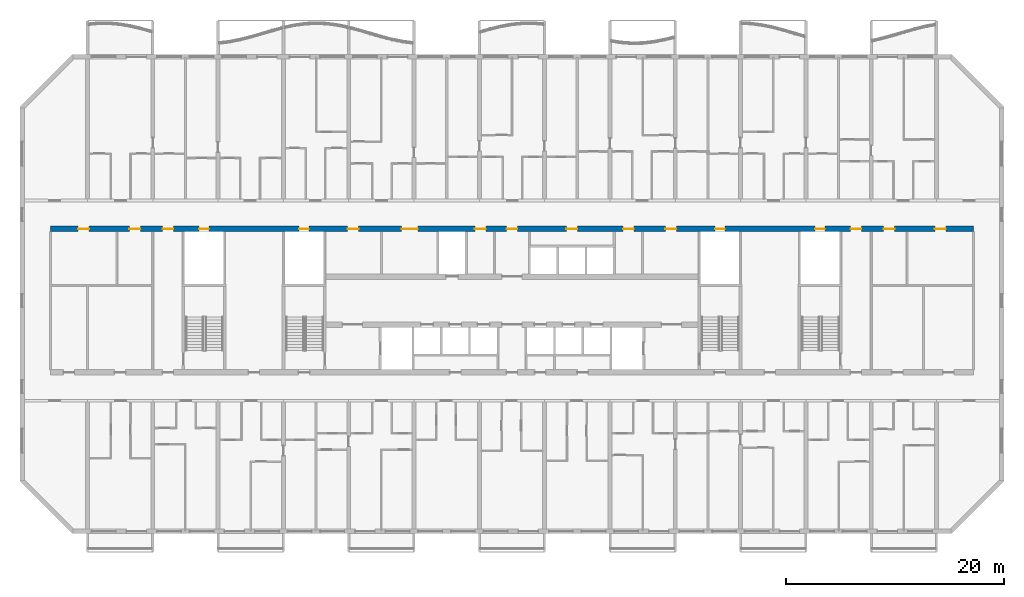
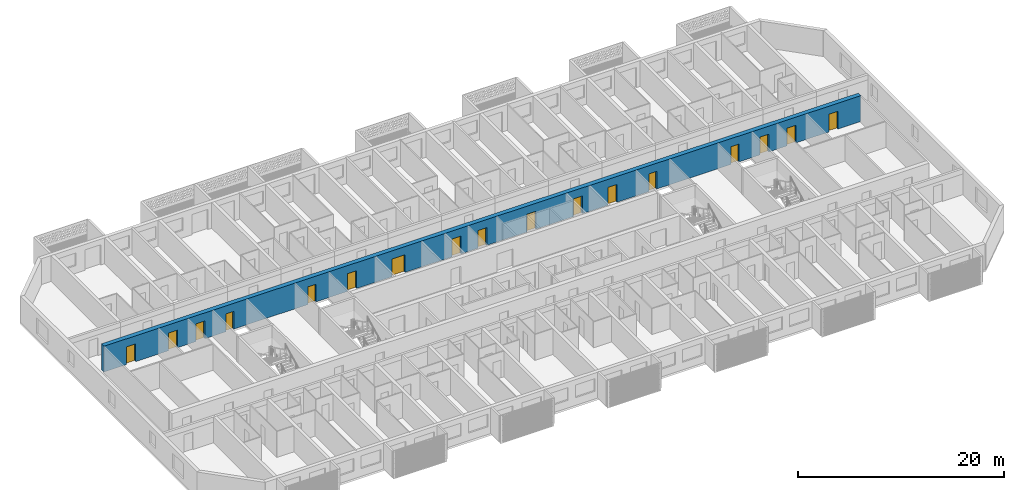
# One storey, part 8 of 29: 17 doors, 1 wall, 17 openings.
"""IFC4 building model written with IfcOpenShell, lengths in metres."""

from ifc_helpers import new_model, si_unit, direction, frame, frame_2d, origin, place, context, subcontext, project, spatial, rectangle, extrude, material, layer, layer_set, type_object, element, fill, save


model = new_model("IFC4")

# Units and contexts
model_context = context("Model", 3, precision=1e-05, world=origin(), true_north=direction((0.0, 1.0)))
body_context = subcontext(model_context, "Body", "Model", "MODEL_VIEW")
ifc_project = project(units=[si_unit("LENGTHUNIT", "METRE"), si_unit("AREAUNIT", "SQUARE_METRE"), si_unit("VOLUMEUNIT", "CUBIC_METRE"), si_unit("PLANEANGLEUNIT", "RADIAN"), si_unit("MASSUNIT", "GRAM", prefix="KILO")], contexts=[model_context])

# Site, building, storey
site_placement = place(None, origin())
site = spatial("IfcSite", under=ifc_project, at=site_placement, CompositionType="ELEMENT")
building_placement = place(site_placement, origin())
building = spatial("IfcBuilding", under=site, at=building_placement, Name="Poui Terraces", CompositionType="ELEMENT")
storey_placement = place(building_placement, frame((0.0, 0.0, 86.10009765625)))
storey = spatial("IfcBuildingStorey", under=building, at=storey_placement, Name="L23", CompositionType="ELEMENT", Elevation=86.10009765625)

# Wall, openings, doors
ifc_material_1 = material(Name="Concrete 65 MPa", Category="concrete")
ifc_layer = layer(ifc_material_1, 0.5)
ifc_layer_set = layer_set([ifc_layer], Name="Concrete 65 MPa")
wall_type = type_object("IfcWallType", Name="SPINE WALL 500 65 MPA", PredefinedType="SOLIDWALL", material=ifc_layer_set)
wall_placement = place(storey_placement, frame((8.60009765625, 27.800048828125, 0.0), z_axis=(0.0, 0.0, 1.0), x_axis=(1.0, 0.0, 0.0)))
wall = element("IfcWall", 1, at=wall_placement, inside=storey, type_object=wall_type, Name="SPINE WALL", PredefinedType="SOLIDWALL", context=body_context, shape_type="SweptSolid", body=[
    extrude(rectangle(XDim=84.7998046875, YDim=0.5, at=frame_2d((42.39990234375, 0.0))), origin(), (0.0, 0.0, 1.0), 3.059814453125),
])
opening_1_placement = place(wall_placement, frame((2.550048828125, 0.0, 0.0)))
opening_1 = element("IfcOpeningElement", 2, at=opening_1_placement, cuts=wall, Name="Opening FD60", PredefinedType="OPENING", context=body_context, shape_type="SweptSolid", body=[
    extrude(rectangle(XDim=1.0, YDim=2.10009765625, at=frame_2d((0.5, 1.050048828125))), frame((0.0, 0.260009765625, 0.0), z_axis=(0.0, -1.0, 0.0), x_axis=(1.0, 0.0, 0.0)), (0.0, 0.0, 1.0), 0.52001953125),
])
opening_2_placement = place(wall_placement, frame((7.25, 0.0, 0.0)))
opening_2 = element("IfcOpeningElement", 3, at=opening_2_placement, cuts=wall, Name="Opening FD60", PredefinedType="OPENING", context=body_context, shape_type="SweptSolid", body=[
    extrude(rectangle(XDim=1.0, YDim=2.10009765625, at=frame_2d((0.5, 1.050048828125))), frame((0.0, 0.260009765625, 0.0), z_axis=(0.0, -1.0, 0.0), x_axis=(1.0, 0.0, 0.0)), (0.0, 0.0, 1.0), 0.52001953125),
])
opening_3_placement = place(wall_placement, frame((10.300048828125, 0.0, 0.0)))
opening_3 = element("IfcOpeningElement", 4, at=opening_3_placement, cuts=wall, Name="Opening FDL", PredefinedType="OPENING", context=body_context, shape_type="SweptSolid", body=[
    extrude(rectangle(XDim=1.0, YDim=2.10009765625, at=frame_2d((0.5, 1.050048828125))), frame((0.0, 0.260009765625, 0.0), z_axis=(0.0, -1.0, 0.0), x_axis=(1.0, 0.0, 0.0)), (0.0, 0.0, 1.0), 0.52001953125),
])
opening_4_placement = place(wall_placement, frame((13.64990234375, 0.0, 0.0)))
opening_4 = element("IfcOpeningElement", 5, at=opening_4_placement, cuts=wall, Name="Opening FDR", PredefinedType="OPENING", context=body_context, shape_type="SweptSolid", body=[
    extrude(rectangle(XDim=0.89990234375, YDim=2.10009765625, at=frame_2d((0.449951171875, 1.050048828125))), frame((0.0, 0.260009765625, 0.0), z_axis=(0.0, -1.0, 0.0), x_axis=(1.0, 0.0, 0.0)), (0.0, 0.0, 1.0), 0.52001953125),
])
opening_5_placement = place(wall_placement, frame((22.85009765625, 0.0, 0.0)))
opening_5 = element("IfcOpeningElement", 6, at=opening_5_placement, cuts=wall, Name="Opening FDR", PredefinedType="OPENING", context=body_context, shape_type="SweptSolid", body=[
    extrude(rectangle(XDim=0.89990234375, YDim=2.10009765625, at=frame_2d((0.449951171875, 1.050048828125))), frame((0.0, 0.260009765625, 0.0), z_axis=(0.0, -1.0, 0.0), x_axis=(1.0, 0.0, 0.0)), (0.0, 0.0, 1.0), 0.52001953125),
])
opening_6_placement = place(wall_placement, frame((27.300048828125, 0.0, 0.0)))
opening_6 = element("IfcOpeningElement", 7, at=opening_6_placement, cuts=wall, Name="Opening FD60", PredefinedType="OPENING", context=body_context, shape_type="SweptSolid", body=[
    extrude(rectangle(XDim=1.0, YDim=2.10009765625, at=frame_2d((0.5, 1.050048828125))), frame((0.0, 0.260009765625, 0.0), z_axis=(0.0, -1.0, 0.0), x_axis=(1.0, 0.0, 0.0)), (0.0, 0.0, 1.0), 0.52001953125),
])
opening_7_placement = place(wall_placement, frame((32.25, 0.0, 0.0)))
opening_7 = element("IfcOpeningElement", 8, at=opening_7_placement, cuts=wall, Name="Opening FDP", PredefinedType="OPENING", context=body_context, shape_type="SweptSolid", body=[
    extrude(rectangle(XDim=1.5, YDim=2.10009765625, at=frame_2d((0.75, 1.050048828125))), frame((0.0, 0.260009765625, 0.0), z_axis=(0.0, -1.0, 0.0), x_axis=(1.0, 0.0, 0.0)), (0.0, 0.0, 1.0), 0.52001953125),
])
opening_8_placement = place(wall_placement, frame((39.0, 0.0, 0.0)))
opening_8 = element("IfcOpeningElement", 9, at=opening_8_placement, cuts=wall, Name="Opening FD60", PredefinedType="OPENING", context=body_context, shape_type="SweptSolid", body=[
    extrude(rectangle(XDim=1.0, YDim=2.10009765625, at=frame_2d((0.5, 1.050048828125))), frame((0.0, 0.260009765625, 0.0), z_axis=(0.0, -1.0, 0.0), x_axis=(1.0, 0.0, 0.0)), (0.0, 0.0, 1.0), 0.52001953125),
])
opening_9_placement = place(wall_placement, frame((41.89990234375, 0.0, 0.0)))
opening_9 = element("IfcOpeningElement", 10, at=opening_9_placement, cuts=wall, Name="Opening FDL", PredefinedType="OPENING", context=body_context, shape_type="SweptSolid", body=[
    extrude(rectangle(XDim=1.0, YDim=2.10009765625, at=frame_2d((0.5, 1.050048828125))), frame((0.0, 0.260009765625, 0.0), z_axis=(0.0, -1.0, 0.0), x_axis=(1.0, 0.0, 0.0)), (0.0, 0.0, 1.0), 0.52001953125),
])
opening_10_placement = place(wall_placement, frame((47.39990234375, 0.0, 0.0)))
opening_10 = element("IfcOpeningElement", 11, at=opening_10_placement, cuts=wall, Name="Opening FD60", PredefinedType="OPENING", context=body_context, shape_type="SweptSolid", body=[
    extrude(rectangle(XDim=1.0, YDim=2.10009765625, at=frame_2d((0.5, 1.050048828125))), frame((0.0, 0.260009765625, 0.0), z_axis=(0.0, -1.0, 0.0), x_axis=(1.0, 0.0, 0.0)), (0.0, 0.0, 1.0), 0.52001953125),
])
opening_11_placement = place(wall_placement, frame((52.60009765625, 0.0, 0.0)))
opening_11 = element("IfcOpeningElement", 12, at=opening_11_placement, cuts=wall, Name="Opening FD60", PredefinedType="OPENING", context=body_context, shape_type="SweptSolid", body=[
    extrude(rectangle(XDim=1.0, YDim=2.10009765625, at=frame_2d((0.5, 1.050048828125))), frame((0.0, 0.260009765625, 0.0), z_axis=(0.0, -1.0, 0.0), x_axis=(1.0, 0.0, 0.0)), (0.0, 0.0, 1.0), 0.52001953125),
])
opening_12_placement = place(wall_placement, frame((56.5, 0.0, 0.0)))
opening_12 = element("IfcOpeningElement", 13, at=opening_12_placement, cuts=wall, Name="Opening FD60", PredefinedType="OPENING", context=body_context, shape_type="SweptSolid", body=[
    extrude(rectangle(XDim=1.0, YDim=2.10009765625, at=frame_2d((0.5, 1.050048828125))), frame((0.0, 0.260009765625, 0.0), z_axis=(0.0, -1.0, 0.0), x_axis=(1.0, 0.0, 0.0)), (0.0, 0.0, 1.0), 0.52001953125),
])
opening_13_placement = place(wall_placement, frame((61.050048828125, 0.0, 0.0)))
opening_13 = element("IfcOpeningElement", 14, at=opening_13_placement, cuts=wall, Name="Opening FDR", PredefinedType="OPENING", context=body_context, shape_type="SweptSolid", body=[
    extrude(rectangle(XDim=0.89990234375, YDim=2.10009765625, at=frame_2d((0.449951171875, 1.050048828125))), frame((0.0, 0.260009765625, 0.0), z_axis=(0.0, -1.0, 0.0), x_axis=(1.0, 0.0, 0.0)), (0.0, 0.0, 1.0), 0.52001953125),
])
opening_14_placement = place(wall_placement, frame((70.25, 0.0, 0.0)))
opening_14 = element("IfcOpeningElement", 15, at=opening_14_placement, cuts=wall, Name="Opening FDR", PredefinedType="OPENING", context=body_context, shape_type="SweptSolid", body=[
    extrude(rectangle(XDim=0.89990234375, YDim=2.10009765625, at=frame_2d((0.449951171875, 1.050048828125))), frame((0.0, 0.260009765625, 0.0), z_axis=(0.0, -1.0, 0.0), x_axis=(1.0, 0.0, 0.0)), (0.0, 0.0, 1.0), 0.52001953125),
])
opening_15_placement = place(wall_placement, frame((73.5, 0.0, 0.0)))
opening_15 = element("IfcOpeningElement", 16, at=opening_15_placement, cuts=wall, Name="Opening FDL", PredefinedType="OPENING", context=body_context, shape_type="SweptSolid", body=[
    extrude(rectangle(XDim=1.0, YDim=2.10009765625, at=frame_2d((0.5, 1.050048828125))), frame((0.0, 0.260009765625, 0.0), z_axis=(0.0, -1.0, 0.0), x_axis=(1.0, 0.0, 0.0)), (0.0, 0.0, 1.0), 0.52001953125),
])
opening_16_placement = place(wall_placement, frame((76.550048828125, 0.0, 0.0)))
opening_16 = element("IfcOpeningElement", 17, at=opening_16_placement, cuts=wall, Name="Opening FD60", PredefinedType="OPENING", context=body_context, shape_type="SweptSolid", body=[
    extrude(rectangle(XDim=1.0, YDim=2.10009765625, at=frame_2d((0.5, 1.050048828125))), frame((0.0, 0.260009765625, 0.0), z_axis=(0.0, -1.0, 0.0), x_axis=(1.0, 0.0, 0.0)), (0.0, 0.0, 1.0), 0.52001953125),
])
opening_17_placement = place(wall_placement, frame((81.25, 0.0, 0.0)))
opening_17 = element("IfcOpeningElement", 18, at=opening_17_placement, cuts=wall, Name="Opening FD60", PredefinedType="OPENING", context=body_context, shape_type="SweptSolid", body=[
    extrude(rectangle(XDim=1.0, YDim=2.10009765625, at=frame_2d((0.5, 1.050048828125))), frame((0.0, 0.260009765625, 0.0), z_axis=(0.0, -1.0, 0.0), x_axis=(1.0, 0.0, 0.0)), (0.0, 0.0, 1.0), 0.52001953125),
])
ifc_material_2 = material(Name="Steel fire door", Category="steel")
door_type_1 = type_object("IfcDoorType", Name="LOBBY FIRE DOOR 1000 X 2100", OperationType="NOTDEFINED", PredefinedType="DOOR", material=ifc_material_2)
door_1_placement = place(opening_3_placement, origin())
door_1 = element("IfcDoor", 19, at=door_1_placement, inside=storey, type_object=door_type_1, Name="LOBBY FIRE DOOR 003", OperationType="SINGLE_SWING_LEFT", OverallHeight=2.10009765625, OverallWidth=1.0, PredefinedType="DOOR", context=body_context, shape_type="SweptSolid", body=[
    extrude(rectangle(XDim=1.0, YDim=2.10009765625, at=frame_2d((0.5, 1.050048828125))), frame((0.0, 0.02490234375, 0.0), z_axis=(0.0, -1.0, 0.0), x_axis=(1.0, 0.0, 0.0)), (0.0, 0.0, 1.0), 0.050048828125),
])
fill(opening_3, door_1)
door_2_placement = place(opening_9_placement, origin())
door_2 = element("IfcDoor", 20, at=door_2_placement, inside=storey, type_object=door_type_1, Name="LOBBY FIRE DOOR 009", OperationType="SINGLE_SWING_RIGHT", OverallHeight=2.10009765625, OverallWidth=1.0, PredefinedType="DOOR", context=body_context, shape_type="SweptSolid", body=[
    extrude(rectangle(XDim=1.0, YDim=2.10009765625, at=frame_2d((0.5, 1.050048828125))), frame((0.0, 0.02490234375, 0.0), z_axis=(0.0, -1.0, 0.0), x_axis=(1.0, 0.0, 0.0)), (0.0, 0.0, 1.0), 0.050048828125),
])
fill(opening_9, door_2)
door_3_placement = place(opening_15_placement, origin())
door_3 = element("IfcDoor", 21, at=door_3_placement, inside=storey, type_object=door_type_1, Name="LOBBY FIRE DOOR 015", OperationType="SINGLE_SWING_RIGHT", OverallHeight=2.10009765625, OverallWidth=1.0, PredefinedType="DOOR", context=body_context, shape_type="SweptSolid", body=[
    extrude(rectangle(XDim=1.0, YDim=2.10009765625, at=frame_2d((0.5, 1.050048828125))), frame((0.0, 0.02490234375, 0.0), z_axis=(0.0, -1.0, 0.0), x_axis=(1.0, 0.0, 0.0)), (0.0, 0.0, 1.0), 0.050048828125),
])
fill(opening_15, door_3)
door_type_2 = type_object("IfcDoorType", Name="PLANT ROOM DOOR PAIR 1500 X 2100", OperationType="DOUBLE_DOOR_SINGLE_SWING", PredefinedType="DOOR", material=ifc_material_2)
door_4_placement = place(opening_7_placement, origin())
door_4 = element("IfcDoor", 22, at=door_4_placement, inside=storey, type_object=door_type_2, Name="PLANT ROOM DOOR PAIR 007", OperationType="DOUBLE_DOOR_SINGLE_SWING", OverallHeight=2.10009765625, OverallWidth=1.5, PredefinedType="DOOR", context=body_context, shape_type="SweptSolid", body=[
    extrude(rectangle(XDim=1.5, YDim=2.10009765625, at=frame_2d((0.75, 1.050048828125))), frame((0.0, 0.02490234375, 0.0), z_axis=(0.0, -1.0, 0.0), x_axis=(1.0, 0.0, 0.0)), (0.0, 0.0, 1.0), 0.050048828125),
])
fill(opening_7, door_4)
door_type_3 = type_object("IfcDoorType", Name="RISER CUPBOARD DOOR 900 X 2100", OperationType="NOTDEFINED", PredefinedType="DOOR", material=ifc_material_2)
door_5_placement = place(opening_4_placement, origin())
door_5 = element("IfcDoor", 23, at=door_5_placement, inside=storey, type_object=door_type_3, Name="RISER CUPBOARD DOOR 004", OperationType="SINGLE_SWING_LEFT", OverallHeight=2.10009765625, OverallWidth=0.89990234375, PredefinedType="DOOR", context=body_context, shape_type="SweptSolid", body=[
    extrude(rectangle(XDim=0.89990234375, YDim=2.10009765625, at=frame_2d((0.449951171875, 1.050048828125))), frame((0.0, 0.02490234375, 0.0), z_axis=(0.0, -1.0, 0.0), x_axis=(1.0, 0.0, 0.0)), (0.0, 0.0, 1.0), 0.050048828125),
])
fill(opening_4, door_5)
door_6_placement = place(opening_5_placement, origin())
door_6 = element("IfcDoor", 24, at=door_6_placement, inside=storey, type_object=door_type_3, Name="RISER CUPBOARD DOOR 005", OperationType="SINGLE_SWING_LEFT", OverallHeight=2.10009765625, OverallWidth=0.89990234375, PredefinedType="DOOR", context=body_context, shape_type="SweptSolid", body=[
    extrude(rectangle(XDim=0.89990234375, YDim=2.10009765625, at=frame_2d((0.449951171875, 1.050048828125))), frame((0.0, 0.02490234375, 0.0), z_axis=(0.0, -1.0, 0.0), x_axis=(1.0, 0.0, 0.0)), (0.0, 0.0, 1.0), 0.050048828125),
])
fill(opening_5, door_6)
door_7_placement = place(opening_13_placement, origin())
door_7 = element("IfcDoor", 25, at=door_7_placement, inside=storey, type_object=door_type_3, Name="RISER CUPBOARD DOOR 013", OperationType="SINGLE_SWING_RIGHT", OverallHeight=2.10009765625, OverallWidth=0.89990234375, PredefinedType="DOOR", context=body_context, shape_type="SweptSolid", body=[
    extrude(rectangle(XDim=0.89990234375, YDim=2.10009765625, at=frame_2d((0.449951171875, 1.050048828125))), frame((0.0, 0.02490234375, 0.0), z_axis=(0.0, -1.0, 0.0), x_axis=(1.0, 0.0, 0.0)), (0.0, 0.0, 1.0), 0.050048828125),
])
fill(opening_13, door_7)
door_8_placement = place(opening_14_placement, origin())
door_8 = element("IfcDoor", 26, at=door_8_placement, inside=storey, type_object=door_type_3, Name="RISER CUPBOARD DOOR 014", OperationType="SINGLE_SWING_RIGHT", OverallHeight=2.10009765625, OverallWidth=0.89990234375, PredefinedType="DOOR", context=body_context, shape_type="SweptSolid", body=[
    extrude(rectangle(XDim=0.89990234375, YDim=2.10009765625, at=frame_2d((0.449951171875, 1.050048828125))), frame((0.0, 0.02490234375, 0.0), z_axis=(0.0, -1.0, 0.0), x_axis=(1.0, 0.0, 0.0)), (0.0, 0.0, 1.0), 0.050048828125),
])
fill(opening_14, door_8)
door_type_4 = type_object("IfcDoorType", Name="SERVICE ROOM FIRE DOOR 1000 X 2100", OperationType="NOTDEFINED", PredefinedType="DOOR", material=ifc_material_2)
door_9_placement = place(opening_1_placement, origin())
door_9 = element("IfcDoor", 27, at=door_9_placement, inside=storey, type_object=door_type_4, Name="SERVICE ROOM FIRE DOOR 001", OperationType="SINGLE_SWING_RIGHT", OverallHeight=2.10009765625, OverallWidth=1.0, PredefinedType="DOOR", context=body_context, shape_type="SweptSolid", body=[
    extrude(rectangle(XDim=1.0, YDim=2.10009765625, at=frame_2d((0.5, 1.050048828125))), frame((0.0, 0.02490234375, 0.0), z_axis=(0.0, -1.0, 0.0), x_axis=(1.0, 0.0, 0.0)), (0.0, 0.0, 1.0), 0.050048828125),
])
fill(opening_1, door_9)
door_10_placement = place(opening_2_placement, origin())
door_10 = element("IfcDoor", 28, at=door_10_placement, inside=storey, type_object=door_type_4, Name="SERVICE ROOM FIRE DOOR 002", OperationType="SINGLE_SWING_LEFT", OverallHeight=2.10009765625, OverallWidth=1.0, PredefinedType="DOOR", context=body_context, shape_type="SweptSolid", body=[
    extrude(rectangle(XDim=1.0, YDim=2.10009765625, at=frame_2d((0.5, 1.050048828125))), frame((0.0, 0.02490234375, 0.0), z_axis=(0.0, -1.0, 0.0), x_axis=(1.0, 0.0, 0.0)), (0.0, 0.0, 1.0), 0.050048828125),
])
fill(opening_2, door_10)
door_11_placement = place(opening_6_placement, origin())
door_11 = element("IfcDoor", 29, at=door_11_placement, inside=storey, type_object=door_type_4, Name="SERVICE ROOM FIRE DOOR 006", OperationType="SINGLE_SWING_RIGHT", OverallHeight=2.10009765625, OverallWidth=1.0, PredefinedType="DOOR", context=body_context, shape_type="SweptSolid", body=[
    extrude(rectangle(XDim=1.0, YDim=2.10009765625, at=frame_2d((0.5, 1.050048828125))), frame((0.0, 0.02490234375, 0.0), z_axis=(0.0, -1.0, 0.0), x_axis=(1.0, 0.0, 0.0)), (0.0, 0.0, 1.0), 0.050048828125),
])
fill(opening_6, door_11)
door_12_placement = place(opening_8_placement, origin())
door_12 = element("IfcDoor", 30, at=door_12_placement, inside=storey, type_object=door_type_4, Name="SERVICE ROOM FIRE DOOR 008", OperationType="SINGLE_SWING_RIGHT", OverallHeight=2.10009765625, OverallWidth=1.0, PredefinedType="DOOR", context=body_context, shape_type="SweptSolid", body=[
    extrude(rectangle(XDim=1.0, YDim=2.10009765625, at=frame_2d((0.5, 1.050048828125))), frame((0.0, 0.02490234375, 0.0), z_axis=(0.0, -1.0, 0.0), x_axis=(1.0, 0.0, 0.0)), (0.0, 0.0, 1.0), 0.050048828125),
])
fill(opening_8, door_12)
door_13_placement = place(opening_10_placement, origin())
door_13 = element("IfcDoor", 31, at=door_13_placement, inside=storey, type_object=door_type_4, Name="SERVICE ROOM FIRE DOOR 010", OperationType="SINGLE_SWING_LEFT", OverallHeight=2.10009765625, OverallWidth=1.0, PredefinedType="DOOR", context=body_context, shape_type="SweptSolid", body=[
    extrude(rectangle(XDim=1.0, YDim=2.10009765625, at=frame_2d((0.5, 1.050048828125))), frame((0.0, 0.02490234375, 0.0), z_axis=(0.0, -1.0, 0.0), x_axis=(1.0, 0.0, 0.0)), (0.0, 0.0, 1.0), 0.050048828125),
])
fill(opening_10, door_13)
door_14_placement = place(opening_11_placement, origin())
door_14 = element("IfcDoor", 32, at=door_14_placement, inside=storey, type_object=door_type_4, Name="SERVICE ROOM FIRE DOOR 011", OperationType="SINGLE_SWING_RIGHT", OverallHeight=2.10009765625, OverallWidth=1.0, PredefinedType="DOOR", context=body_context, shape_type="SweptSolid", body=[
    extrude(rectangle(XDim=1.0, YDim=2.10009765625, at=frame_2d((0.5, 1.050048828125))), frame((0.0, 0.02490234375, 0.0), z_axis=(0.0, -1.0, 0.0), x_axis=(1.0, 0.0, 0.0)), (0.0, 0.0, 1.0), 0.050048828125),
])
fill(opening_11, door_14)
door_15_placement = place(opening_12_placement, origin())
door_15 = element("IfcDoor", 33, at=door_15_placement, inside=storey, type_object=door_type_4, Name="SERVICE ROOM FIRE DOOR 012", OperationType="SINGLE_SWING_LEFT", OverallHeight=2.10009765625, OverallWidth=1.0, PredefinedType="DOOR", context=body_context, shape_type="SweptSolid", body=[
    extrude(rectangle(XDim=1.0, YDim=2.10009765625, at=frame_2d((0.5, 1.050048828125))), frame((0.0, 0.02490234375, 0.0), z_axis=(0.0, -1.0, 0.0), x_axis=(1.0, 0.0, 0.0)), (0.0, 0.0, 1.0), 0.050048828125),
])
fill(opening_12, door_15)
door_16_placement = place(opening_16_placement, origin())
door_16 = element("IfcDoor", 34, at=door_16_placement, inside=storey, type_object=door_type_4, Name="SERVICE ROOM FIRE DOOR 016", OperationType="SINGLE_SWING_RIGHT", OverallHeight=2.10009765625, OverallWidth=1.0, PredefinedType="DOOR", context=body_context, shape_type="SweptSolid", body=[
    extrude(rectangle(XDim=1.0, YDim=2.10009765625, at=frame_2d((0.5, 1.050048828125))), frame((0.0, 0.02490234375, 0.0), z_axis=(0.0, -1.0, 0.0), x_axis=(1.0, 0.0, 0.0)), (0.0, 0.0, 1.0), 0.050048828125),
])
fill(opening_16, door_16)
door_17_placement = place(opening_17_placement, origin())
door_17 = element("IfcDoor", 35, at=door_17_placement, inside=storey, type_object=door_type_4, Name="SERVICE ROOM FIRE DOOR 017", OperationType="SINGLE_SWING_LEFT", OverallHeight=2.10009765625, OverallWidth=1.0, PredefinedType="DOOR", context=body_context, shape_type="SweptSolid", body=[
    extrude(rectangle(XDim=1.0, YDim=2.10009765625, at=frame_2d((0.5, 1.050048828125))), frame((0.0, 0.02490234375, 0.0), z_axis=(0.0, -1.0, 0.0), x_axis=(1.0, 0.0, 0.0)), (0.0, 0.0, 1.0), 0.050048828125),
])
fill(opening_17, door_17)

save(model, "model.ifc")
